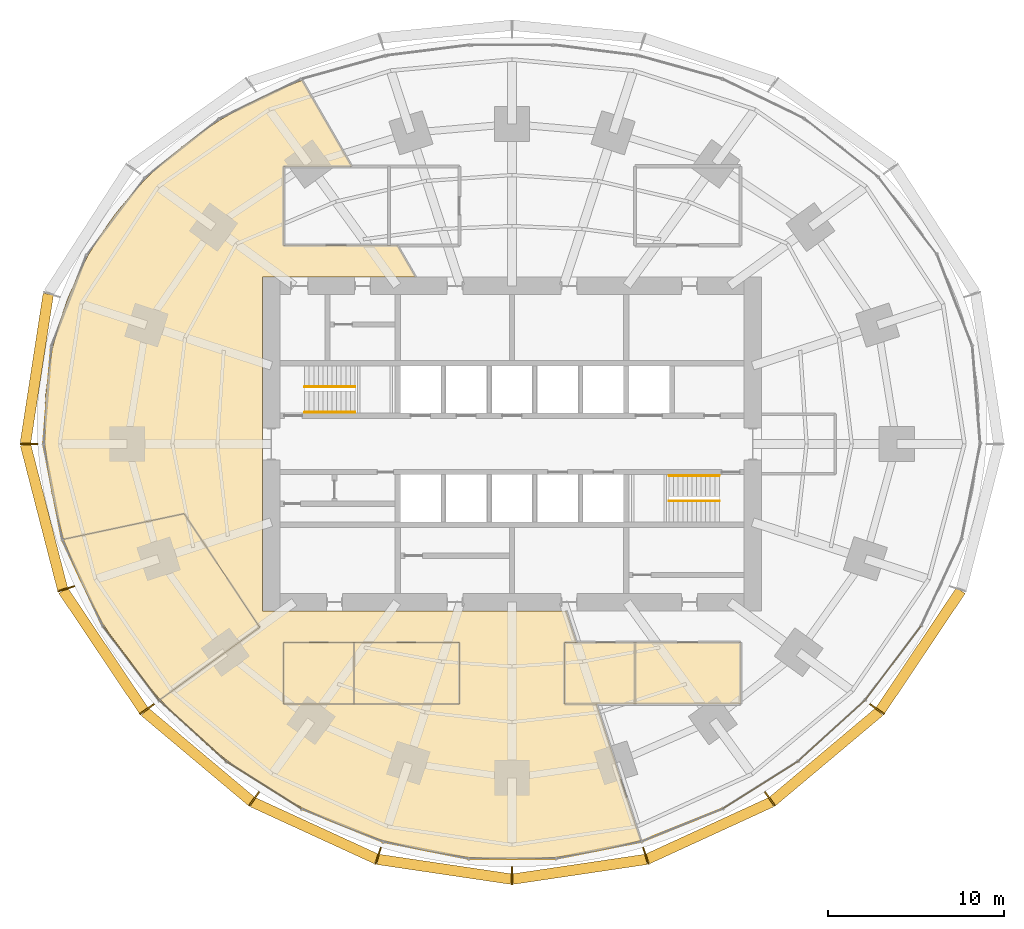
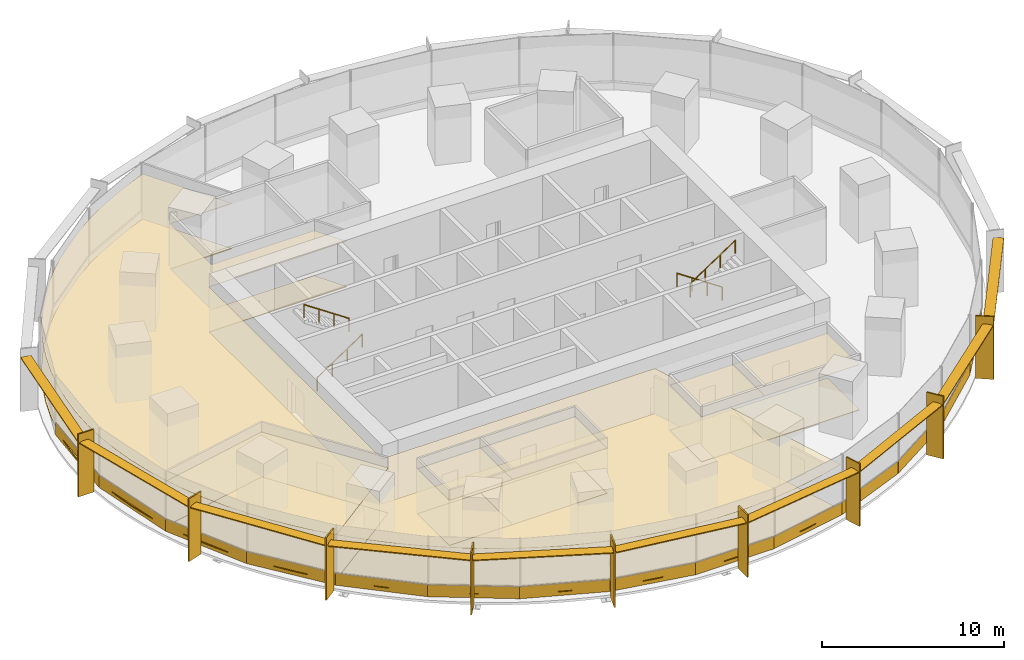
# One storey, part 14 of 15: 26 coverings, 19 shading devices, 4 railings.
"""IFC4 building model written with IfcOpenShell, lengths in metres."""

from ifc_helpers import new_model, si_unit, direction, frame, origin, origin_2d, place, context, subcontext, project, spatial, polyline, rectangle, circle, outline, extrude, material, layer, layer_set, type_object, element, save


model = new_model("IFC4")

# Units and contexts
model_context = context("Model", 3, precision=1e-05, world=origin(), true_north=direction((0.0, 1.0)))
body_context = subcontext(model_context, "Body", "Model", "MODEL_VIEW")
ifc_project = project(units=[si_unit("LENGTHUNIT", "METRE"), si_unit("AREAUNIT", "SQUARE_METRE"), si_unit("VOLUMEUNIT", "CUBIC_METRE"), si_unit("PLANEANGLEUNIT", "RADIAN"), si_unit("MASSUNIT", "GRAM", prefix="KILO")], contexts=[model_context])

# Site, building, storey
site_placement = place(None, origin())
site = spatial("IfcSite", under=ifc_project, at=site_placement, CompositionType="ELEMENT")
building_placement = place(site_placement, origin())
building = spatial("IfcBuilding", under=site, at=building_placement, Name="Marramba Exchange Tower", CompositionType="ELEMENT")
storey_placement = place(building_placement, frame((0.0, 0.0, 23.800048828125)))
storey = spatial("IfcBuildingStorey", under=building, at=storey_placement, Name="L05", CompositionType="ELEMENT", Elevation=23.800048828125)

# Shading devices
ifc_material_1 = material(Name="Aluminium blade, timber-look bronze finish", Category="wood")
ifc_layer_1 = layer(ifc_material_1, 0.080078125)
ifc_layer_set_1 = layer_set([ifc_layer_1], Name="Floor-edge blade 1000x80")
shading_device_type_1 = type_object("IfcShadingDeviceType", Name="Floor-edge blade 1000x80", PredefinedType="USERDEFINED", material=ifc_layer_set_1)
for number, where, z_axis, x_axis, name in (
    (1, (-27.5, 0.0, -0.16015625), (0.0, 0.0, 1.0), (-1.0, 0.0, 0.0), "Floor-edge blade FB1 L05 TC11"),
    (2, (-25.3740234375, -8.24462890625, -0.16015625), (0.0, 0.0, 1.0), (-0.951056516295, -0.309016994375, 0.0), "Floor-edge blade FB1 L05 TC12"),
    (3, (-20.773193359375, -15.092529296875, -0.16015625), (0.0, 0.0, 1.0), (-0.809016994375, -0.587785252292, 0.0), "Floor-edge blade FB1 L05 TC13"),
    (4, (-14.6787109375, -20.20361328125, -0.16015625), (0.0, 0.0, 1.0), (-0.587785252292, -0.809016994375, 0.0), "Floor-edge blade FB1 L05 TC14"),
    (5, (-7.61767578125, -23.444580078125, -0.16015625), (0.0, 0.0, 1.0), (-0.309016994375, -0.951056516295, 0.0), "Floor-edge blade FB1 L05 TC15"),
    (6, (0.0, -24.572021484375, -0.16015625), (0.0, 0.0, 1.0), (0.0, -1.0, 0.0), "Floor-edge blade FB1 L05 TC16"),
    (7, (7.61767578125, -23.444580078125, -0.16015625), (0.0, 0.0, 1.0), (0.309016994375, -0.951056516295, 0.0), "Floor-edge blade FB1 L05 TC17"),
    (8, (14.6787109375, -20.20361328125, -0.16015625), (0.0, 0.0, 1.0), (0.587785252292, -0.809016994375, 0.0), "Floor-edge blade FB1 L05 TC18"),
    (9, (20.773193359375, -15.092529296875, -0.16015625), (0.0, 0.0, 1.0), (0.809016994375, -0.587785252292, 0.0), "Floor-edge blade FB1 L05 TC19"),
):
    element("IfcShadingDevice", number, at=place(storey_placement, frame(where, z_axis=z_axis, x_axis=x_axis)), inside=storey, type_object=shading_device_type_1, Name=name, ObjectType="FIN", PredefinedType="USERDEFINED", context=body_context, shape_type="SweptSolid", body=[
        extrude(rectangle(XDim=1.0, YDim=0.080078125, at=origin_2d()), origin(), (0.0, 0.0, 1.0), 4.199951171875),
    ])

# Coverings
ifc_material_2 = material(Name="Steel raised access floor panels", Category="steel")
ifc_layer_2 = layer(ifc_material_2, 0.050048828125)
ifc_layer_set_2 = layer_set([ifc_layer_2], Name="Raised access floor 300")
covering_type_1 = type_object("IfcCoveringType", Name="Raised access floor 300", PredefinedType="FLOORING", material=ifc_layer_set_2)
covering_1_placement = place(storey_placement, frame((0.0, 0.0, 0.25)))
element("IfcCovering", 10, at=covering_1_placement, inside=storey, type_object=covering_type_1, Name="Raised access floor RAF1 L05 Derivatives Trading Floor", PredefinedType="FLOORING", context=body_context, shape_type="SweptSolid", body=[
    extrude(outline(polyline([(-14.199951171875, -9.5), (3.086669921875, -9.5), (3.671630859375, -11.300048828125), (3.0, -11.300048828125), (3.0, -14.800048828125), (4.808837890625, -14.800048828125), (7.330078125, -22.56005859375), (6.1328125, -22.8876953125), (4.92236328125, -23.15771484375), (3.701416015625, -23.368896484375), (2.47216796875, -23.5205078125), (1.2373046875, -23.611572265625), (0.0, -23.64208984375), (-1.2373046875, -23.611572265625), (-2.47216796875, -23.5205078125), (-3.701416015625, -23.368896484375), (-4.92236328125, -23.15771484375), (-6.1328125, -22.8876953125), (-7.330078125, -22.56005859375), (-8.512451171875, -22.17578125), (-9.677734375, -21.736328125), (-10.82373046875, -21.242919921875), (-11.94921875, -20.69677734375), (-13.052490234375, -20.09912109375), (-14.132080078125, -19.451171875), (-15.1865234375, -18.75390625), (-16.21435546875, -18.0078125), (-17.213623046875, -17.213623046875), (-18.1826171875, -16.371826171875), (-19.119384765625, -15.482421875), (-20.020751953125, -14.5458984375), (-14.357666015625, -10.431396484375), (-18.659423828125, -3.96630859375), (-25.50634765625, -5.421630859375), (-25.9013671875, -4.102294921875), (-26.213623046875, -2.755126953125), (-26.43798828125, -1.385498046875), (-26.570068359375, 0.0), (-26.6064453125, 1.394287109375), (-26.544921875, 2.7900390625), (-26.3837890625, 4.1787109375), (-26.123291015625, 5.552734375), (-25.763916015625, 6.9033203125), (-25.30859375, 8.22314453125), (-24.76025390625, 9.50439453125), (-24.12353515625, 10.740478515625), (-23.40380859375, 11.9248046875), (-22.607177734375, 13.05224609375), (-21.740478515625, 14.118408203125), (-20.810791015625, 15.119873046875), (-19.8251953125, 16.05419921875), (-18.791259765625, 16.919677734375), (-17.71630859375, 17.71630859375), (-16.60693359375, 18.44384765625), (-15.4697265625, 19.103759765625), (-14.31103515625, 19.697509765625), (-13.135986328125, 20.2275390625), (-11.94921875, 20.69677734375), (-9.1220703125, 15.800048828125), (-13.0, 15.800048828125), (-13.0, 11.300048828125), (-7.0, 11.300048828125), (-6.52392578125, 11.300048828125), (-5.48486328125, 9.5), (-14.199951171875, 9.5), (-14.199951171875, -9.5)]), holes=[polyline([(-13.0, -14.800048828125), (-9.0, -14.800048828125), (-3.0, -14.800048828125), (-3.0, -11.300048828125), (-9.0, -11.300048828125), (-13.0, -11.300048828125), (-13.0, -14.800048828125)])]), origin(), (0.0, 0.0, 1.0), 0.050048828125),
])
covering_2_placement = place(storey_placement, frame((0.0, 0.0, 0.25)))
element("IfcCovering", 11, at=covering_2_placement, inside=storey, type_object=covering_type_1, Name="Raised access floor RAF1 L05 Head of Desk Office", PredefinedType="FLOORING", context=body_context, shape_type="SweptSolid", body=[
    extrude(outline(polyline([(-20.29736328125, -14.230712890625), (-20.88427734375, -13.5625), (-21.7060546875, -12.531982421875), (-22.482177734375, -11.455322265625), (-23.157958984375, -10.41064453125), (-23.208251953125, -10.3330078125), (-23.879150390625, -9.166259765625), (-24.489501953125, -7.95703125), (-24.8916015625, -7.0341796875), (-25.033935546875, -6.707763671875), (-25.50634765625, -5.421630859375), (-18.659423828125, -3.96630859375), (-14.357666015625, -10.431396484375), (-20.020751953125, -14.5458984375), (-20.29736328125, -14.230712890625)])), origin(), (0.0, 0.0, 1.0), 0.050048828125),
])
covering_3_placement = place(storey_placement, frame((0.0, 0.0, 0.25)))
element("IfcCovering", 12, at=covering_3_placement, inside=storey, type_object=covering_type_1, Name="Raised access floor RAF1 L05 Print Room", PredefinedType="FLOORING", context=body_context, shape_type="SweptSolid", body=[
    extrude(outline(polyline([(-9.0, -14.800048828125), (-13.0, -14.800048828125), (-13.0, -11.300048828125), (-9.0, -11.300048828125), (-9.0, -14.800048828125)])), origin(), (0.0, 0.0, 1.0), 0.050048828125),
])
covering_4_placement = place(storey_placement, frame((0.0, 0.0, 0.25)))
element("IfcCovering", 13, at=covering_4_placement, inside=storey, type_object=covering_type_1, Name="Raised access floor RAF1 L05 Pantry", PredefinedType="FLOORING", context=body_context, shape_type="SweptSolid", body=[
    extrude(outline(polyline([(-3.0, -14.800048828125), (-9.0, -14.800048828125), (-9.0, -11.300048828125), (-3.0, -11.300048828125), (-3.0, -14.800048828125)])), origin(), (0.0, 0.0, 1.0), 0.050048828125),
])
covering_5_placement = place(storey_placement, frame((0.0, 0.0, 0.25)))
element("IfcCovering", 14, at=covering_5_placement, inside=storey, type_object=covering_type_1, Name="Raised access floor RAF1 L05 Quiet Room", PredefinedType="FLOORING", context=body_context, shape_type="SweptSolid", body=[
    extrude(outline(polyline([(7.0, -11.300048828125), (7.0, -14.800048828125), (3.0, -14.800048828125), (3.0, -11.300048828125), (7.0, -11.300048828125)])), origin(), (0.0, 0.0, 1.0), 0.050048828125),
])
covering_6_placement = place(storey_placement, frame((0.0, 0.0, 0.25)))
element("IfcCovering", 15, at=covering_6_placement, inside=storey, type_object=covering_type_1, Name="Raised access floor RAF1 L05 Meeting Room 2", PredefinedType="FLOORING", context=body_context, shape_type="SweptSolid", body=[
    extrude(outline(polyline([(13.0, -14.800048828125), (7.0, -14.800048828125), (7.0, -11.300048828125), (13.0, -11.300048828125), (13.0, -14.800048828125)])), origin(), (0.0, 0.0, 1.0), 0.050048828125),
])

# Shading devices
ifc_material_3 = material(Name="Aluminium sunshade, bronze anodised", Category="aluminium")
ifc_layer_3 = layer(ifc_material_3, 0.06005859375)
ifc_layer_set_3 = layer_set([ifc_layer_3], Name="SUNSHADE blade 600x60")
shading_device_type_2 = type_object("IfcShadingDeviceType", Name="SUNSHADE blade 600x60", PredefinedType="USERDEFINED", material=ifc_layer_set_3)
shading_device_1_placement = place(storey_placement, frame((-27.04150390625, 4.2861328125, 3.4599609375), z_axis=(0.0, 0.0, 1.0), x_axis=(-0.151825486228, -0.988407315701, 0.0)))
element("IfcShadingDevice", 16, at=shading_device_1_placement, inside=storey, type_object=shading_device_type_2, Name="Sunshade SS1 L05 bay 10", ObjectType="SUNSHADE", PredefinedType="USERDEFINED", context=body_context, shape_type="SweptSolid", body=[
    extrude(rectangle(XDim=8.593017578125, YDim=0.60009765625, at=origin_2d()), origin(), (0.0, 0.0, 1.0), 0.06005859375),
])
shading_device_2_placement = place(storey_placement, frame((-26.632080078125, -4.153076171875, 3.4599609375), z_axis=(0.0, 0.0, 1.0), x_axis=(0.249024641331, -0.968497149201, 0.0)))
element("IfcShadingDevice", 17, at=shading_device_2_placement, inside=storey, type_object=shading_device_type_2, Name="Sunshade SS1 L05 bay 11", ObjectType="SUNSHADE", PredefinedType="USERDEFINED", context=body_context, shape_type="SweptSolid", body=[
    extrude(rectangle(XDim=8.49658203125, YDim=0.60009765625, at=origin_2d()), origin(), (0.0, 0.0, 1.0), 0.06005859375),
])
shading_device_3_placement = place(storey_placement, frame((-23.24951171875, -11.75830078125, 3.4599609375), z_axis=(0.0, 0.0, 1.0), x_axis=(0.556924164761, -0.830563347798, 0.0)))
element("IfcShadingDevice", 18, at=shading_device_3_placement, inside=storey, type_object=shading_device_type_2, Name="Sunshade SS1 L05 bay 12", ObjectType="SUNSHADE", PredefinedType="USERDEFINED", context=body_context, shape_type="SweptSolid", body=[
    extrude(rectangle(XDim=8.232177734375, YDim=0.60009765625, at=origin_2d()), origin(), (0.0, 0.0, 1.0), 0.06005859375),
])
shading_device_4_placement = place(storey_placement, frame((-17.86572265625, -17.787841796875, 3.4599609375), z_axis=(0.0, 0.0, 1.0), x_axis=(0.765776068523, -0.643107310546, 0.0)))
element("IfcShadingDevice", 19, at=shading_device_4_placement, inside=storey, type_object=shading_device_type_2, Name="Sunshade SS1 L05 bay 13", ObjectType="SUNSHADE", PredefinedType="USERDEFINED", context=body_context, shape_type="SweptSolid", body=[
    extrude(rectangle(XDim=7.936279296875, YDim=0.60009765625, at=origin_2d()), origin(), (0.0, 0.0, 1.0), 0.06005859375),
])
shading_device_5_placement = place(storey_placement, frame((-11.23779296875, -22.0, 3.4599609375), z_axis=(0.0, 0.0, 1.0), x_axis=(0.908703542008, -0.417442059144, 0.0)))
element("IfcShadingDevice", 20, at=shading_device_5_placement, inside=storey, type_object=shading_device_type_2, Name="Sunshade SS1 L05 bay 14", ObjectType="SUNSHADE", PredefinedType="USERDEFINED", context=body_context, shape_type="SweptSolid", body=[
    extrude(rectangle(XDim=7.751953125, YDim=0.60009765625, at=origin_2d()), origin(), (0.0, 0.0, 1.0), 0.06005859375),
])
for number, where, z_axis, x_axis, name in (
    (21, (-3.839599609375, -24.203369140625, 3.4599609375), (0.0, 0.0, 1.0), (0.989212895923, -0.146484970356, 0.0), "Sunshade SS1 L05 bay 15"),
    (22, (3.839599609375, -24.203369140625, 3.4599609375), (0.0, 0.0, 1.0), (0.989212895923, 0.146484970356, 0.0), "Sunshade SS1 L05 bay 16"),
):
    element("IfcShadingDevice", number, at=place(storey_placement, frame(where, z_axis=z_axis, x_axis=x_axis)), inside=storey, type_object=shading_device_type_2, Name=name, ObjectType="SUNSHADE", PredefinedType="USERDEFINED", context=body_context, shape_type="SweptSolid", body=[
        extrude(rectangle(XDim=7.68310546875, YDim=0.60009765625, at=origin_2d()), origin(), (0.0, 0.0, 1.0), 0.06005859375),
    ])
shading_device_6_placement = place(storey_placement, frame((11.23779296875, -22.0, 3.4599609375), z_axis=(0.0, 0.0, 1.0), x_axis=(0.908703542008, 0.417442059144, 0.0)))
element("IfcShadingDevice", 23, at=shading_device_6_placement, inside=storey, type_object=shading_device_type_2, Name="Sunshade SS1 L05 bay 17", ObjectType="SUNSHADE", PredefinedType="USERDEFINED", context=body_context, shape_type="SweptSolid", body=[
    extrude(rectangle(XDim=7.751953125, YDim=0.60009765625, at=origin_2d()), origin(), (0.0, 0.0, 1.0), 0.06005859375),
])
shading_device_7_placement = place(storey_placement, frame((17.86572265625, -17.787841796875, 3.4599609375), z_axis=(0.0, 0.0, 1.0), x_axis=(0.765776068523, 0.643107310546, 0.0)))
element("IfcShadingDevice", 24, at=shading_device_7_placement, inside=storey, type_object=shading_device_type_2, Name="Sunshade SS1 L05 bay 18", ObjectType="SUNSHADE", PredefinedType="USERDEFINED", context=body_context, shape_type="SweptSolid", body=[
    extrude(rectangle(XDim=7.936279296875, YDim=0.60009765625, at=origin_2d()), origin(), (0.0, 0.0, 1.0), 0.06005859375),
])
shading_device_8_placement = place(storey_placement, frame((23.24951171875, -11.75830078125, 3.4599609375), z_axis=(0.0, 0.0, 1.0), x_axis=(0.556924164761, 0.830563347798, 0.0)))
element("IfcShadingDevice", 25, at=shading_device_8_placement, inside=storey, type_object=shading_device_type_2, Name="Sunshade SS1 L05 bay 19", ObjectType="SUNSHADE", PredefinedType="USERDEFINED", context=body_context, shape_type="SweptSolid", body=[
    extrude(rectangle(XDim=8.232177734375, YDim=0.60009765625, at=origin_2d()), origin(), (0.0, 0.0, 1.0), 0.06005859375),
])

# Coverings
ifc_material_4 = material(Name="Aluminium spandrel panel, bronze anodised, insulated", Category="aluminium")
ifc_layer_4 = layer(ifc_material_4, 0.050048828125)
ifc_layer_set_4 = layer_set([ifc_layer_4], Name="Spandrel panel 800")
covering_type_2 = type_object("IfcCoveringType", Name="Spandrel panel 800", PredefinedType="CLADDING", material=ifc_layer_set_4)
covering_7_placement = place(storey_placement, frame((-26.42578125, 2.78466796875, 0.0), z_axis=(0.0, 0.0, 1.0), x_axis=(-0.080275227657, -0.996772736297, 0.0)))
element("IfcCovering", 26, at=covering_7_placement, inside=storey, type_object=covering_type_2, Name="Spandrel panel SP1 L05 F15", PredefinedType="CLADDING", context=body_context, shape_type="SweptSolid", body=[
    extrude(rectangle(XDim=5.58740234375, YDim=0.050048828125, at=origin_2d()), origin(), (0.0, 0.0, 1.0), 0.800048828125),
])
covering_8_placement = place(storey_placement, frame((-26.117431640625, -2.718994140625, 0.0), z_axis=(0.0, 0.0, 1.0), x_axis=(0.19224858127, -0.981346260501, 0.0)))
element("IfcCovering", 27, at=covering_8_placement, inside=storey, type_object=covering_type_2, Name="Spandrel panel SP1 L05 F16", PredefinedType="CLADDING", context=body_context, shape_type="SweptSolid", body=[
    extrude(rectangle(XDim=5.54150390625, YDim=0.050048828125, at=origin_2d()), origin(), (0.0, 0.0, 1.0), 0.800048828125),
])
covering_9_placement = place(storey_placement, frame((-24.432861328125, -7.90185546875, 0.0), z_axis=(0.0, 0.0, 1.0), x_axis=(0.423477213559, -0.905906755464, 0.0)))
element("IfcCovering", 28, at=covering_9_placement, inside=storey, type_object=covering_type_2, Name="Spandrel panel SP1 L05 F17", PredefinedType="CLADDING", context=body_context, shape_type="SweptSolid", body=[
    extrude(rectangle(XDim=5.439208984375, YDim=0.050048828125, at=origin_2d()), origin(), (0.0, 0.0, 1.0), 0.800048828125),
])
covering_10_placement = place(storey_placement, frame((-21.683349609375, -12.479248046875, 0.0), z_axis=(0.0, 0.0, 1.0), x_axis=(0.603040469481, -0.797710594243, 0.0)))
element("IfcCovering", 29, at=covering_10_placement, inside=storey, type_object=covering_type_2, Name="Spandrel panel SP1 L05 F18", PredefinedType="CLADDING", context=body_context, shape_type="SweptSolid", body=[
    extrude(rectangle(XDim=5.299560546875, YDim=0.050048828125, at=origin_2d()), origin(), (0.0, 0.0, 1.0), 0.800048828125),
])
covering_11_placement = place(storey_placement, frame((-18.1767578125, -16.330078125, 0.0), z_axis=(0.0, 0.0, 1.0), x_axis=(0.739589582203, -0.673058132628, 0.0)))
element("IfcCovering", 30, at=covering_11_placement, inside=storey, type_object=covering_type_2, Name="Spandrel panel SP1 L05 F19", PredefinedType="CLADDING", context=body_context, shape_type="SweptSolid", body=[
    extrude(rectangle(XDim=5.161865234375, YDim=0.050048828125, at=origin_2d()), origin(), (0.0, 0.0, 1.0), 0.800048828125),
])
covering_12_placement = place(storey_placement, frame((-14.128662109375, -19.416748046875, 0.0), z_axis=(0.0, 0.0, 1.0), x_axis=(0.845790829799, -0.533514641062, 0.0)))
element("IfcCovering", 31, at=covering_12_placement, inside=storey, type_object=covering_type_2, Name="Spandrel panel SP1 L05 F20", PredefinedType="CLADDING", context=body_context, shape_type="SweptSolid", body=[
    extrude(rectangle(XDim=5.05859375, YDim=0.050048828125, at=origin_2d()), origin(), (0.0, 0.0, 1.0), 0.800048828125),
])
covering_13_placement = place(storey_placement, frame((-9.672119140625, -21.701171875, 0.0), z_axis=(0.0, 0.0, 1.0), x_axis=(0.927340675001, -0.374218215069, 0.0)))
element("IfcCovering", 32, at=covering_13_placement, inside=storey, type_object=covering_type_2, Name="Spandrel panel SP1 L05 F21", PredefinedType="CLADDING", context=body_context, shape_type="SweptSolid", body=[
    extrude(rectangle(XDim=4.99755859375, YDim=0.050048828125, at=origin_2d()), origin(), (0.0, 0.0, 1.0), 0.800048828125),
])
covering_14_placement = place(storey_placement, frame((-4.917724609375, -23.1181640625, 0.0), z_axis=(0.0, 0.0, 1.0), x_axis=(0.981009201842, -0.193961196898, 0.0)))
element("IfcCovering", 33, at=covering_14_placement, inside=storey, type_object=covering_type_2, Name="Spandrel panel SP1 L05 F22", PredefinedType="CLADDING", context=body_context, shape_type="SweptSolid", body=[
    extrude(rectangle(XDim=4.96875, YDim=0.050048828125, at=origin_2d()), origin(), (0.0, 0.0, 1.0), 0.800048828125),
])
covering_15_placement = place(storey_placement, frame((0.0, -23.599853515625, 0.0), z_axis=(0.0, 0.0, 1.0), x_axis=(1.0, 0.0, 0.0)))
element("IfcCovering", 34, at=covering_15_placement, inside=storey, type_object=covering_type_2, Name="Spandrel panel SP1 L05 F23", PredefinedType="CLADDING", context=body_context, shape_type="SweptSolid", body=[
    extrude(rectangle(XDim=4.9609375, YDim=0.050048828125, at=origin_2d()), origin(), (0.0, 0.0, 1.0), 0.800048828125),
])
covering_16_placement = place(storey_placement, frame((4.917724609375, -23.1181640625, 0.0), z_axis=(0.0, 0.0, 1.0), x_axis=(0.981009201842, 0.193961196898, 0.0)))
element("IfcCovering", 35, at=covering_16_placement, inside=storey, type_object=covering_type_2, Name="Spandrel panel SP1 L05 F24", PredefinedType="CLADDING", context=body_context, shape_type="SweptSolid", body=[
    extrude(rectangle(XDim=4.96875, YDim=0.050048828125, at=origin_2d()), origin(), (0.0, 0.0, 1.0), 0.800048828125),
])
covering_17_placement = place(storey_placement, frame((9.672119140625, -21.701171875, 0.0), z_axis=(0.0, 0.0, 1.0), x_axis=(0.927340675001, 0.374218215069, 0.0)))
element("IfcCovering", 36, at=covering_17_placement, inside=storey, type_object=covering_type_2, Name="Spandrel panel SP1 L05 F25", PredefinedType="CLADDING", context=body_context, shape_type="SweptSolid", body=[
    extrude(rectangle(XDim=4.99755859375, YDim=0.050048828125, at=origin_2d()), origin(), (0.0, 0.0, 1.0), 0.800048828125),
])
covering_18_placement = place(storey_placement, frame((14.128662109375, -19.416748046875, 0.0), z_axis=(0.0, 0.0, 1.0), x_axis=(0.845790829799, 0.533514641062, 0.0)))
element("IfcCovering", 37, at=covering_18_placement, inside=storey, type_object=covering_type_2, Name="Spandrel panel SP1 L05 F26", PredefinedType="CLADDING", context=body_context, shape_type="SweptSolid", body=[
    extrude(rectangle(XDim=5.05859375, YDim=0.050048828125, at=origin_2d()), origin(), (0.0, 0.0, 1.0), 0.800048828125),
])
covering_19_placement = place(storey_placement, frame((18.1767578125, -16.330078125, 0.0), z_axis=(0.0, 0.0, 1.0), x_axis=(0.739589582203, 0.673058132628, 0.0)))
element("IfcCovering", 38, at=covering_19_placement, inside=storey, type_object=covering_type_2, Name="Spandrel panel SP1 L05 F27", PredefinedType="CLADDING", context=body_context, shape_type="SweptSolid", body=[
    extrude(rectangle(XDim=5.161865234375, YDim=0.050048828125, at=origin_2d()), origin(), (0.0, 0.0, 1.0), 0.800048828125),
])
covering_20_placement = place(storey_placement, frame((21.683349609375, -12.479248046875, 0.0), z_axis=(0.0, 0.0, 1.0), x_axis=(0.603040469481, 0.797710594243, 0.0)))
element("IfcCovering", 39, at=covering_20_placement, inside=storey, type_object=covering_type_2, Name="Spandrel panel SP1 L05 F28", PredefinedType="CLADDING", context=body_context, shape_type="SweptSolid", body=[
    extrude(rectangle(XDim=5.299560546875, YDim=0.050048828125, at=origin_2d()), origin(), (0.0, 0.0, 1.0), 0.800048828125),
])

# Railings
ifc_material_5 = material(Name="Stainless steel handrail", Category="steel")
railing_type = type_object("IfcRailingType", Name="Stair handrail 900", PredefinedType="HANDRAIL", material=ifc_material_5)
railing_1_placement = place(storey_placement, frame((-11.800048828125, 1.800048828125, 0.175048828125)))
element("IfcRailing", 40, at=railing_1_placement, inside=storey, type_object=railing_type, Name="Handrail HR1 ST1 L05 flight 1", PredefinedType="HANDRAIL", context=body_context, shape_type="SweptSolid", body=[
    extrude(circle(Radius=0.02392578125, at=origin_2d()), frame((0.0, 0.0, 0.8759765625), z_axis=(0.829623704247, 0.0, 0.558322943601), x_axis=(0.0, 1.0, 0.0)), (0.0, 0.0, 1.0), 3.447509765625),
    extrude(circle(Radius=0.02099609375, at=origin_2d()), origin(), (0.0, 0.0, 1.0), 0.851806640625),
    extrude(circle(Radius=0.02099609375, at=origin_2d()), frame((0.953369140625, 0.0, 0.6416015625)), (0.0, 0.0, 1.0), 0.851806640625),
    extrude(circle(Radius=0.02099609375, at=origin_2d()), frame((1.90673828125, 0.0, 1.283203125)), (0.0, 0.0, 1.0), 0.851806640625),
    extrude(circle(Radius=0.02099609375, at=origin_2d()), frame((2.860107421875, 0.0, 1.9248046875)), (0.0, 0.0, 1.0), 0.851806640625),
])
railing_2_placement = place(storey_placement, frame((-8.93994140625, 3.25, 2.27490234375)))
element("IfcRailing", 41, at=railing_2_placement, inside=storey, type_object=railing_type, Name="Handrail HR1 ST1 L05 flight 2", PredefinedType="HANDRAIL", context=body_context, shape_type="SweptSolid", body=[
    extrude(circle(Radius=0.02392578125, at=origin_2d()), frame((0.0, 0.0, 0.8759765625), z_axis=(-0.829590901723, 0.0, 0.558371682465), x_axis=(0.0, -1.0, 0.0)), (0.0, 0.0, 1.0), 3.447509765625),
    extrude(circle(Radius=0.02099609375, at=origin_2d()), origin(), (0.0, 0.0, 1.0), 0.851806640625),
    extrude(circle(Radius=0.02099609375, at=origin_2d()), frame((-0.953369140625, 0.0, 0.6416015625)), (0.0, 0.0, 1.0), 0.851806640625),
    extrude(circle(Radius=0.02099609375, at=origin_2d()), frame((-1.90673828125, 0.0, 1.283447265625)), (0.0, 0.0, 1.0), 0.851806640625),
    extrude(circle(Radius=0.02099609375, at=origin_2d()), frame((-2.860107421875, 0.0, 1.925048828125)), (0.0, 0.0, 1.0), 0.851806640625),
])
railing_3_placement = place(storey_placement, frame((11.800048828125, -1.800048828125, 0.175048828125)))
element("IfcRailing", 42, at=railing_3_placement, inside=storey, type_object=railing_type, Name="Handrail HR1 ST2 L05 flight 1", PredefinedType="HANDRAIL", context=body_context, shape_type="SweptSolid", body=[
    extrude(circle(Radius=0.02392578125, at=origin_2d()), frame((0.0, 0.0, 0.8759765625), z_axis=(-0.829623704247, 0.0, 0.558322943601), x_axis=(0.0, -1.0, 0.0)), (0.0, 0.0, 1.0), 3.447509765625),
    extrude(circle(Radius=0.02099609375, at=origin_2d()), origin(), (0.0, 0.0, 1.0), 0.851806640625),
    extrude(circle(Radius=0.02099609375, at=origin_2d()), frame((-0.953369140625, 0.0, 0.6416015625)), (0.0, 0.0, 1.0), 0.851806640625),
    extrude(circle(Radius=0.02099609375, at=origin_2d()), frame((-1.90673828125, 0.0, 1.283203125)), (0.0, 0.0, 1.0), 0.851806640625),
    extrude(circle(Radius=0.02099609375, at=origin_2d()), frame((-2.860107421875, 0.0, 1.9248046875)), (0.0, 0.0, 1.0), 0.851806640625),
])
railing_4_placement = place(storey_placement, frame((8.93994140625, -3.25, 2.27490234375)))
element("IfcRailing", 43, at=railing_4_placement, inside=storey, type_object=railing_type, Name="Handrail HR1 ST2 L05 flight 2", PredefinedType="HANDRAIL", context=body_context, shape_type="SweptSolid", body=[
    extrude(circle(Radius=0.02392578125, at=origin_2d()), frame((0.0, 0.0, 0.8759765625), z_axis=(0.829590901723, 0.0, 0.558371682465), x_axis=(0.0, 1.0, 0.0)), (0.0, 0.0, 1.0), 3.447509765625),
    extrude(circle(Radius=0.02099609375, at=origin_2d()), origin(), (0.0, 0.0, 1.0), 0.851806640625),
    extrude(circle(Radius=0.02099609375, at=origin_2d()), frame((0.953369140625, 0.0, 0.6416015625)), (0.0, 0.0, 1.0), 0.851806640625),
    extrude(circle(Radius=0.02099609375, at=origin_2d()), frame((1.90673828125, 0.0, 1.283447265625)), (0.0, 0.0, 1.0), 0.851806640625),
    extrude(circle(Radius=0.02099609375, at=origin_2d()), frame((2.860107421875, 0.0, 1.925048828125)), (0.0, 0.0, 1.0), 0.851806640625),
])

# Coverings
ifc_material_6 = material(Name="Mineral fibre ceiling tiles", Category="gypsum")
ifc_layer_5 = layer(ifc_material_6, 0.02001953125)
ifc_layer_set_5 = layer_set([ifc_layer_5], Name="Suspended ceiling 20")
covering_type_3 = type_object("IfcCoveringType", Name="Suspended ceiling 20", PredefinedType="CEILING", material=ifc_layer_set_5)
covering_21_placement = place(storey_placement, frame((0.0, 0.0, 3.300048828125)))
element("IfcCovering", 44, at=covering_21_placement, inside=storey, type_object=covering_type_3, Name="Ceiling CL1 L05 Derivatives Trading Floor", PredefinedType="CEILING", context=body_context, shape_type="SweptSolid", body=[
    extrude(outline(polyline([(-14.199951171875, -9.5), (3.086669921875, -9.5), (3.671630859375, -11.300048828125), (3.0, -11.300048828125), (3.0, -14.800048828125), (4.808837890625, -14.800048828125), (7.330078125, -22.56005859375), (6.1328125, -22.8876953125), (4.92236328125, -23.15771484375), (3.701416015625, -23.368896484375), (2.47216796875, -23.5205078125), (1.2373046875, -23.611572265625), (0.0, -23.64208984375), (-1.2373046875, -23.611572265625), (-2.47216796875, -23.5205078125), (-3.701416015625, -23.368896484375), (-4.92236328125, -23.15771484375), (-6.1328125, -22.8876953125), (-7.330078125, -22.56005859375), (-8.512451171875, -22.17578125), (-9.677734375, -21.736328125), (-10.82373046875, -21.242919921875), (-11.94921875, -20.69677734375), (-13.052490234375, -20.09912109375), (-14.132080078125, -19.451171875), (-15.1865234375, -18.75390625), (-16.21435546875, -18.0078125), (-17.213623046875, -17.213623046875), (-18.1826171875, -16.371826171875), (-19.119384765625, -15.482421875), (-20.020751953125, -14.5458984375), (-14.357666015625, -10.431396484375), (-18.659423828125, -3.96630859375), (-25.50634765625, -5.421630859375), (-25.9013671875, -4.102294921875), (-26.213623046875, -2.755126953125), (-26.43798828125, -1.385498046875), (-26.570068359375, 0.0), (-26.6064453125, 1.394287109375), (-26.544921875, 2.7900390625), (-26.3837890625, 4.1787109375), (-26.123291015625, 5.552734375), (-25.763916015625, 6.9033203125), (-25.30859375, 8.22314453125), (-24.76025390625, 9.50439453125), (-24.12353515625, 10.740478515625), (-23.40380859375, 11.9248046875), (-22.607177734375, 13.05224609375), (-21.740478515625, 14.118408203125), (-20.810791015625, 15.119873046875), (-19.8251953125, 16.05419921875), (-18.791259765625, 16.919677734375), (-17.71630859375, 17.71630859375), (-16.60693359375, 18.44384765625), (-15.4697265625, 19.103759765625), (-14.31103515625, 19.697509765625), (-13.135986328125, 20.2275390625), (-11.94921875, 20.69677734375), (-9.1220703125, 15.800048828125), (-13.0, 15.800048828125), (-13.0, 11.300048828125), (-7.0, 11.300048828125), (-6.52392578125, 11.300048828125), (-5.48486328125, 9.5), (-14.199951171875, 9.5), (-14.199951171875, -9.5)]), holes=[polyline([(-13.0, -14.800048828125), (-9.0, -14.800048828125), (-3.0, -14.800048828125), (-3.0, -11.300048828125), (-9.0, -11.300048828125), (-13.0, -11.300048828125), (-13.0, -14.800048828125)])]), origin(), (0.0, 0.0, 1.0), 0.02001953125),
])
covering_22_placement = place(storey_placement, frame((0.0, 0.0, 3.300048828125)))
element("IfcCovering", 45, at=covering_22_placement, inside=storey, type_object=covering_type_3, Name="Ceiling CL1 L05 Head of Desk Office", PredefinedType="CEILING", context=body_context, shape_type="SweptSolid", body=[
    extrude(outline(polyline([(-20.29736328125, -14.230712890625), (-20.88427734375, -13.5625), (-21.7060546875, -12.531982421875), (-22.482177734375, -11.455322265625), (-23.157958984375, -10.41064453125), (-23.208251953125, -10.3330078125), (-23.879150390625, -9.166259765625), (-24.489501953125, -7.95703125), (-24.8916015625, -7.0341796875), (-25.033935546875, -6.707763671875), (-25.50634765625, -5.421630859375), (-18.659423828125, -3.96630859375), (-14.357666015625, -10.431396484375), (-20.020751953125, -14.5458984375), (-20.29736328125, -14.230712890625)])), origin(), (0.0, 0.0, 1.0), 0.02001953125),
])
covering_23_placement = place(storey_placement, frame((0.0, 0.0, 3.300048828125)))
element("IfcCovering", 46, at=covering_23_placement, inside=storey, type_object=covering_type_3, Name="Ceiling CL1 L05 Print Room", PredefinedType="CEILING", context=body_context, shape_type="SweptSolid", body=[
    extrude(outline(polyline([(-9.0, -14.800048828125), (-13.0, -14.800048828125), (-13.0, -11.300048828125), (-9.0, -11.300048828125), (-9.0, -14.800048828125)])), origin(), (0.0, 0.0, 1.0), 0.02001953125),
])
covering_24_placement = place(storey_placement, frame((0.0, 0.0, 3.300048828125)))
element("IfcCovering", 47, at=covering_24_placement, inside=storey, type_object=covering_type_3, Name="Ceiling CL1 L05 Pantry", PredefinedType="CEILING", context=body_context, shape_type="SweptSolid", body=[
    extrude(outline(polyline([(-3.0, -14.800048828125), (-9.0, -14.800048828125), (-9.0, -11.300048828125), (-3.0, -11.300048828125), (-3.0, -14.800048828125)])), origin(), (0.0, 0.0, 1.0), 0.02001953125),
])
covering_25_placement = place(storey_placement, frame((0.0, 0.0, 3.300048828125)))
element("IfcCovering", 48, at=covering_25_placement, inside=storey, type_object=covering_type_3, Name="Ceiling CL1 L05 Quiet Room", PredefinedType="CEILING", context=body_context, shape_type="SweptSolid", body=[
    extrude(outline(polyline([(7.0, -11.300048828125), (7.0, -14.800048828125), (3.0, -14.800048828125), (3.0, -11.300048828125), (7.0, -11.300048828125)])), origin(), (0.0, 0.0, 1.0), 0.02001953125),
])
covering_26_placement = place(storey_placement, frame((0.0, 0.0, 3.300048828125)))
element("IfcCovering", 49, at=covering_26_placement, inside=storey, type_object=covering_type_3, Name="Ceiling CL1 L05 Meeting Room 2", PredefinedType="CEILING", context=body_context, shape_type="SweptSolid", body=[
    extrude(outline(polyline([(13.0, -14.800048828125), (7.0, -14.800048828125), (7.0, -11.300048828125), (13.0, -11.300048828125), (13.0, -14.800048828125)])), origin(), (0.0, 0.0, 1.0), 0.02001953125),
])

save(model, "model.ifc")
